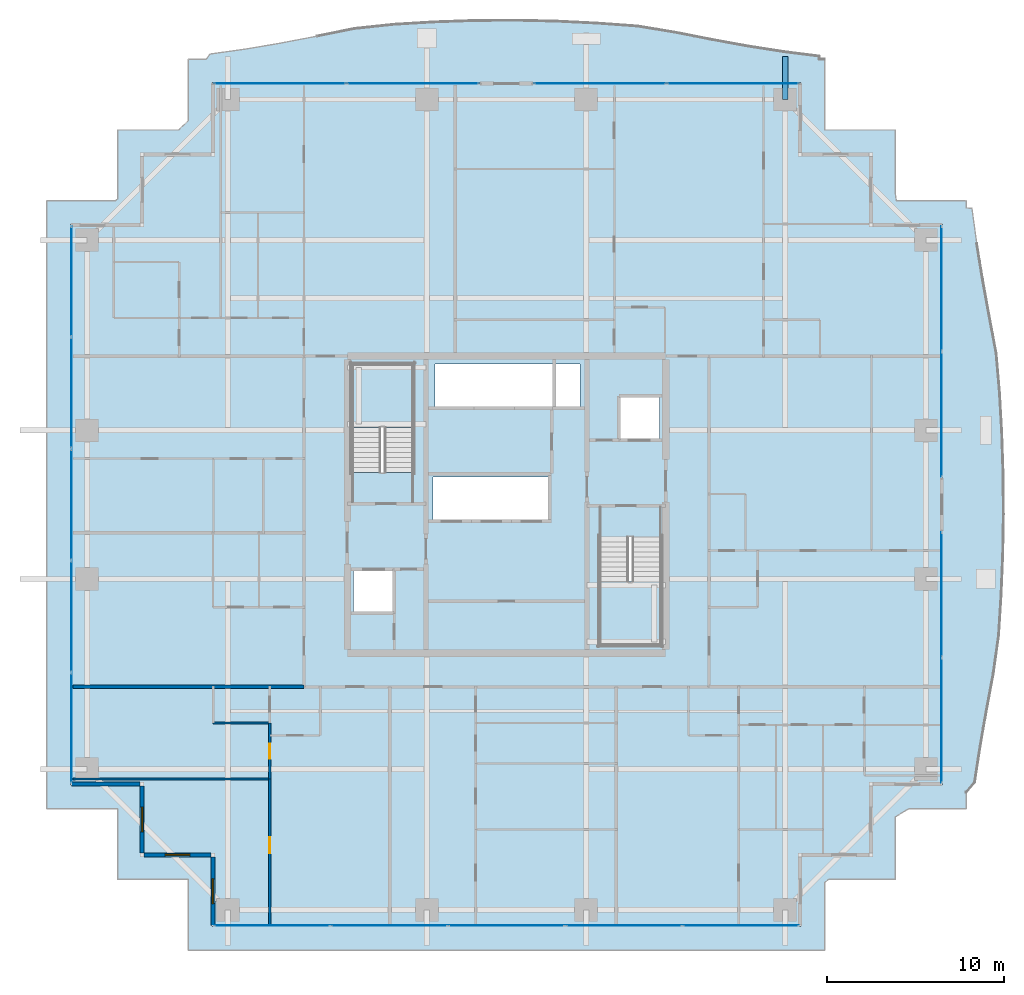
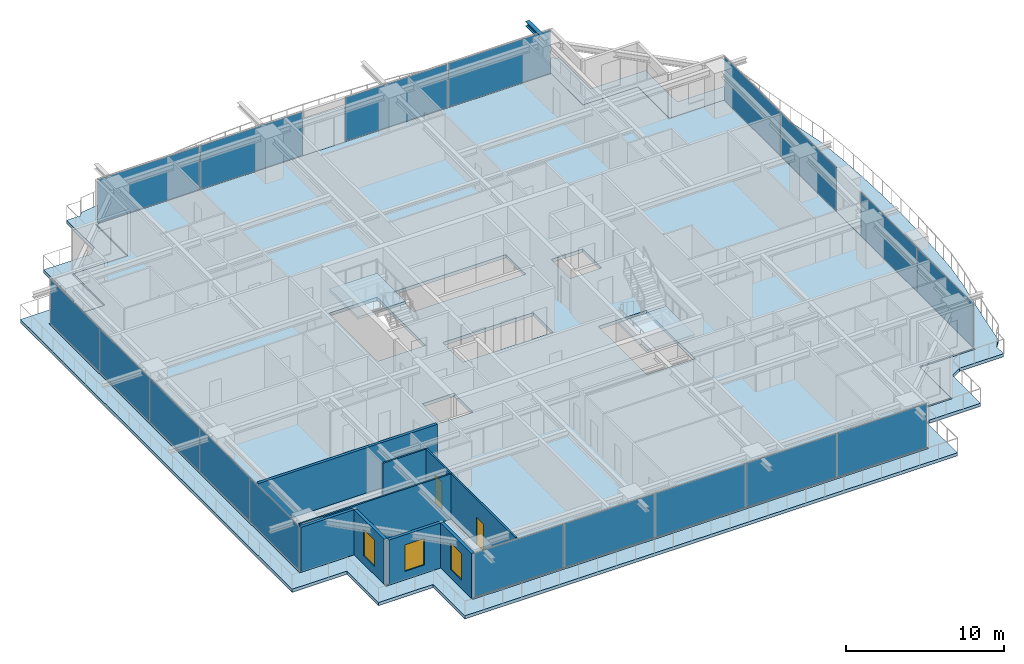
# One storey, part 22 of 33: 18 plates, 9 walls, 4 slabs, 3 windows, 2 doors, 1 beam, 5 openings, 8 elements without a shape of their own.
"""IFC4 building model written with IfcOpenShell, lengths in metres."""

from ifc_helpers import new_model, si_unit, direction, frame, frame_2d, origin, origin_2d, place, context, subcontext, project, spatial, polyline, rectangle, i_section, outline, extrude, source, transform, mapped, material, layer, layer_set, material_profile, profile_set, type_object, element, fill, aggregate, save


model = new_model("IFC4")

# Units and contexts
model_context = context("Model", 3, precision=1e-05, world=origin(), true_north=direction((0.0, 1.0)))
body_context = subcontext(model_context, "Body", "Model", "MODEL_VIEW")
ifc_project = project(units=[si_unit("LENGTHUNIT", "METRE"), si_unit("AREAUNIT", "SQUARE_METRE"), si_unit("VOLUMEUNIT", "CUBIC_METRE"), si_unit("PLANEANGLEUNIT", "RADIAN"), si_unit("MASSUNIT", "GRAM", prefix="KILO")], contexts=[model_context])

# Site, building, storey
site_placement = place(None, origin())
site = spatial("IfcSite", under=ifc_project, at=site_placement, CompositionType="ELEMENT")
building_placement = place(site_placement, origin())
building = spatial("IfcBuilding", under=site, at=building_placement, Name="Serunith Strait Residences", CompositionType="ELEMENT")
storey_placement = place(building_placement, frame((0.0, 0.0, 165.14990234375)))
storey = spatial("IfcBuildingStorey", under=building, at=storey_placement, Name="L41", CompositionType="ELEMENT", Elevation=165.14990234375)

# Beam
ifc_material_1 = material(Name="Steel S355J2", Category="steel")
ifc_material_profile = material_profile(ifc_material_1, i_section(OverallWidth=0.300048828125, OverallDepth=0.360107421875, WebThickness=0.012451171875, FlangeThickness=0.0224609375, FilletRadius=0.027099609375, at=origin_2d()), Name="HEB 360")
ifc_profile_set = profile_set([ifc_material_profile], Name="Steel S355J2")
beam_type = type_object("IfcBeamType", Name="BM-HEB360", PredefinedType="BEAM", material=ifc_profile_set)
shared_shape_1 = source(origin(), body_context, "Body", "SweptSolid", [
    extrude(i_section(OverallWidth=0.300048828125, OverallDepth=0.360107421875, WebThickness=0.012451171875, FlangeThickness=0.0224609375, FilletRadius=0.027099609375, at=origin_2d()), origin(), (0.0, 0.0, 1.0), 2.427978515625),
])
beam_placement = place(storey_placement, frame((48.14990234375, 48.10009765625, 3.277099609375), z_axis=(0.0, 1.0, 0.0), x_axis=(-1.0, 0.0, 0.0)))
element("IfcBeam", 1, at=beam_placement, inside=storey, type_object=beam_type, Name="L42 Cantilevered Balcony Rib TC-N4", PredefinedType="BEAM", context=body_context, shape_type="MappedRepresentation", body=[
    mapped(shared_shape_1, transform((0.0, 0.0, 0.0), scale=1.0)),
])

# Slab
ifc_material_2 = material(Name="Concrete C50/60", Category="concrete")
ifc_layer_1 = layer(ifc_material_2, 0.239990234375, Name="Concrete C50/60")
ifc_layer_set_1 = layer_set([ifc_layer_1], Name="Concrete C50/60")
slab_type_1 = type_object("IfcSlabType", Name="SLB-BALC-240", PredefinedType="FLOOR", material=ifc_layer_set_1)
slab_1_placement = place(storey_placement, frame((0.0, 0.0, -0.289794921875)))
element("IfcSlab", 2, at=slab_1_placement, inside=storey, type_object=slab_type_1, Name="L41 Planted Vertical-Forest Balcony Slab", PredefinedType="FLOOR", context=body_context, shape_type="SweptSolid", body=[
    extrude(outline(polyline([(10.419921875, 46.3798828125), (13.87158203125, 46.3798828125), (14.419921875, 46.90869140625), (14.419921875, 50.3798828125), (15.4287109375, 50.3798828125), (15.634765625, 50.6689453125), (17.631591796875, 50.949951171875), (19.646728515625, 51.291015625), (21.69873046875, 51.68408203125), (23.808349609375, 52.105224609375), (26.03271484375, 52.341796875), (28.31201171875, 52.47802734375), (30.618408203125, 52.5576171875), (32.936767578125, 52.572021484375), (35.25048828125, 52.519775390625), (37.544189453125, 52.40673828125), (39.804931640625, 52.244140625), (41.968994140625, 51.888427734375), (44.0478515625, 51.476806640625), (46.07958984375, 51.107666015625), (48.083984375, 50.79638671875), (50.077392578125, 50.544921875), (50.076171875, 50.3798828125), (50.3798828125, 50.3798828125), (50.3798828125, 46.3798828125), (54.3798828125, 46.3798828125), (54.3798828125, 42.741943359375), (54.43310546875, 42.3798828125), (58.3798828125, 42.3798828125), (58.3798828125, 41.971923828125), (58.705810546875, 41.953125), (58.982666015625, 39.9501953125), (59.31298828125, 37.927001953125), (59.6875, 35.8671875), (60.083251953125, 33.752685546875), (60.27587890625, 31.52685546875), (60.4013671875, 29.259765625), (60.477294921875, 26.968994140625), (60.49658203125, 24.6669921875), (60.457275390625, 22.36767578125), (60.363037109375, 20.084716796875), (60.222412109375, 17.82958984375), (59.920166015625, 15.65380859375), (59.52978515625, 13.56494140625), (59.17236328125, 11.523681640625), (58.8642578125, 9.511474609375), (58.3798828125, 8.943115234375), (58.3798828125, 8.02001953125), (55.150390625, 8.02001953125), (54.3798828125, 7.55908203125), (54.3798828125, 4.02001953125), (50.60400390625, 4.02001953125), (50.3798828125, 3.839599609375), (50.3798828125, 0.02001953125), (14.419921875, 0.02001953125), (14.419921875, 4.02001953125), (10.419921875, 4.02001953125), (10.419921875, 8.02001953125), (6.419921875, 8.02001953125), (6.419921875, 42.3798828125), (10.284912109375, 42.3798828125), (10.419921875, 42.47802734375), (10.419921875, 46.3798828125)]), holes=[polyline([(49.054931640625, 1.344970703125), (49.054931640625, 5.344970703125), (53.054931640625, 5.344970703125), (53.054931640625, 9.344970703125), (57.054931640625, 9.344970703125), (57.054931640625, 41.054931640625), (53.054931640625, 41.054931640625), (53.054931640625, 45.054931640625), (49.054931640625, 45.054931640625), (49.054931640625, 49.054931640625), (15.7451171875, 49.054931640625), (15.7451171875, 45.054931640625), (11.7451171875, 45.054931640625), (11.7451171875, 41.054931640625), (7.7451171875, 41.054931640625), (7.7451171875, 9.344970703125), (11.7451171875, 9.344970703125), (11.7451171875, 5.344970703125), (15.7451171875, 5.344970703125), (15.7451171875, 1.344970703125), (49.054931640625, 1.344970703125)])]), origin(), (0.0, 0.0, 1.0), 0.239990234375),
])

# Stair, slab
stair_type_1 = type_object("IfcStairType", Name="STR-CORE-1", PredefinedType="HALF_TURN_STAIR", material=ifc_material_2)
stair_1_placement = place(storey_placement, origin())
stair_1 = element("IfcStair", 3, at=stair_1_placement, inside=storey, type_object=stair_type_1, Name="L41 Protected Escape Stair ST-1", PredefinedType="HALF_TURN_STAIR")
ifc_layer_2 = layer(ifc_material_2, 0.199951171875, Name="Concrete C50/60")
ifc_layer_set_2 = layer_set([ifc_layer_2], Name="Concrete C50/60")
slab_type_2 = type_object("IfcSlabType", Name="SLB-LAND-200", PredefinedType="LANDING", material=ifc_layer_set_2)
slab_2_placement = place(storey_placement, frame((0.0, 0.0, 1.675048828125)))
slab_2 = element("IfcSlab", 4, at=slab_2_placement, type_object=slab_type_2, Name="ST-1 landing 1", PredefinedType="LANDING", context=body_context, shape_type="SweptSolid", body=[
    extrude(outline(polyline([(27.14990234375, 29.550048828125), (27.14990234375, 33.14990234375), (23.64990234375, 33.14990234375), (23.64990234375, 29.550048828125), (27.14990234375, 29.550048828125)])), origin(), (0.0, 0.0, 1.0), 0.199951171875),
])
aggregate(stair_1, [slab_2])

stair_type_2 = type_object("IfcStairType", Name="STR-CORE-2", PredefinedType="HALF_TURN_STAIR", material=ifc_material_2)
stair_2_placement = place(storey_placement, origin())
stair_2 = element("IfcStair", 5, at=stair_2_placement, inside=storey, type_object=stair_type_2, Name="L41 Protected Escape Stair ST-2", PredefinedType="HALF_TURN_STAIR")
slab_3_placement = place(storey_placement, frame((0.0, 0.0, 1.675048828125)))
slab_3 = element("IfcSlab", 6, at=slab_3_placement, type_object=slab_type_2, Name="ST-2 landing 1", PredefinedType="LANDING", context=body_context, shape_type="SweptSolid", body=[
    extrude(outline(polyline([(37.64990234375, 20.85009765625), (37.64990234375, 17.25), (41.14990234375, 17.25), (41.14990234375, 20.85009765625), (37.64990234375, 20.85009765625)])), origin(), (0.0, 0.0, 1.0), 0.199951171875),
])
aggregate(stair_2, [slab_3])

# Slab
ifc_material_3 = material(Name="Concrete C60/75", Category="concrete")
ifc_layer_3 = layer(ifc_material_3, 0.260009765625, Name="Concrete C60/75")
ifc_layer_set_3 = layer_set([ifc_layer_3], Name="Concrete C60/75")
slab_type_3 = type_object("IfcSlabType", Name="SLB-TWR-260-Z2", PredefinedType="FLOOR", material=ifc_layer_set_3)
slab_4_placement = place(storey_placement, frame((0.0, 0.0, -0.260009765625)))
element("IfcSlab", 7, at=slab_4_placement, inside=storey, type_object=slab_type_3, Name="L41 Structural Floor Plate", PredefinedType="FLOOR", context=body_context, shape_type="SweptSolid", body=[
    extrude(outline(polyline([(15.800048828125, 5.39990234375), (11.800048828125, 5.39990234375), (11.800048828125, 9.39990234375), (7.800048828125, 9.39990234375), (7.800048828125, 41.0), (11.800048828125, 41.0), (11.800048828125, 45.0), (15.800048828125, 45.0), (15.800048828125, 49.0), (49.0, 49.0), (49.0, 45.0), (53.0, 45.0), (53.0, 41.0), (57.0, 41.0), (57.0, 9.39990234375), (53.0, 9.39990234375), (53.0, 5.39990234375), (49.0, 5.39990234375), (49.0, 1.39990234375), (15.800048828125, 1.39990234375), (15.800048828125, 5.39990234375)]), holes=[polyline([(41.14990234375, 23.3701171875), (37.64990234375, 23.3701171875), (37.64990234375, 17.25), (41.14990234375, 17.25), (41.14990234375, 23.3701171875)]), polyline([(38.75, 31.25), (38.75, 28.85009765625), (41.050048828125, 28.85009765625), (41.050048828125, 31.25), (38.75, 31.25)]), polyline([(36.550048828125, 33.14990234375), (28.35009765625, 33.14990234375), (28.35009765625, 30.64990234375), (36.550048828125, 30.64990234375), (36.550048828125, 33.14990234375)]), polyline([(34.85009765625, 26.75), (28.25, 26.75), (28.25, 24.25), (34.85009765625, 24.25), (34.85009765625, 26.75)]), polyline([(23.64990234375, 33.14990234375), (23.64990234375, 27.030029296875), (27.14990234375, 27.030029296875), (27.14990234375, 33.14990234375), (23.64990234375, 33.14990234375)]), polyline([(26.050048828125, 21.550048828125), (23.75, 21.550048828125), (23.75, 19.14990234375), (26.050048828125, 19.14990234375), (26.050048828125, 21.550048828125)])]), origin(), (0.0, 0.0, 1.0), 0.260009765625),
])

# Curtain wall, plates
ifc_material_4 = material(Name="Pale-Champagne Anodised Aluminium", Category="aluminium")
ifc_layer_4 = layer(ifc_material_4, 0.199951171875, Name="Pale-Champagne Anodised Aluminium")
ifc_layer_set_4 = layer_set([ifc_layer_4], Name="Pale-Champagne Anodised Aluminium")
curtain_wall_type = type_object("IfcCurtainWallType", Name="CW-SYS2", PredefinedType="NOTDEFINED", material=ifc_layer_set_4)
curtain_wall_1_placement = place(storey_placement, origin())
curtain_wall_1 = element("IfcCurtainWall", 8, at=curtain_wall_1_placement, inside=storey, type_object=curtain_wall_type, Name="L41 S Unitised Fritted Curtain Wall", PredefinedType="NOTDEFINED")
ifc_material_5 = material(Name="Diagonal-Frit Operable Low-E Glazing 30mm", Category="glass")
ifc_layer_5 = layer(ifc_material_5, 0.030029296875, Name="Diagonal-Frit Operable Low-E Glazing 30mm")
ifc_layer_set_5 = layer_set([ifc_layer_5], Name="Diagonal-Frit Operable Low-E Glazing 30mm")
plate_type = type_object("IfcPlateType", Name="CW-SYS2-PNL", PredefinedType="CURTAIN_PANEL", material=ifc_layer_set_5)
shared_shape_2 = source(origin(), body_context, "Body", "SweptSolid", [
    extrude(rectangle(XDim=6.534912109375, YDim=0.030029296875, at=origin_2d()), origin(), (0.0, 0.0, 1.0), 3.35498046875),
])
plate_1_placement = place(storey_placement, frame((19.137451171875, 1.39990234375, 0.06005859375), z_axis=(0.0, 0.0, 1.0), x_axis=(1.0, 0.0, 0.0)))
plate_1 = element("IfcPlate", 9, at=plate_1_placement, type_object=plate_type, Name="CW-2 panel 1.1", PredefinedType="CURTAIN_PANEL", context=body_context, shape_type="MappedRepresentation", body=[
    mapped(shared_shape_2, transform((0.0, 0.0, 0.0), scale=1.0)),
])
plate_2_placement = place(storey_placement, frame((45.66259765625, 1.39990234375, 0.06005859375), z_axis=(0.0, 0.0, 1.0), x_axis=(1.0, 0.0, 0.0)))
plate_2 = element("IfcPlate", 10, at=plate_2_placement, type_object=plate_type, Name="CW-2 panel 5.1", PredefinedType="CURTAIN_PANEL", context=body_context, shape_type="MappedRepresentation", body=[
    mapped(shared_shape_2, transform((0.0, 0.0, 0.0), scale=1.0)),
])
shared_shape_3 = source(origin(), body_context, "Body", "SweptSolid", [
    extrude(rectangle(XDim=6.570068359375, YDim=0.030029296875, at=origin_2d()), origin(), (0.0, 0.0, 1.0), 3.35498046875),
])
plate_3_placement = place(storey_placement, frame((25.760009765625, 1.39990234375, 0.06005859375), z_axis=(0.0, 0.0, 1.0), x_axis=(1.0, 0.0, 0.0)))
plate_3 = element("IfcPlate", 11, at=plate_3_placement, type_object=plate_type, Name="CW-2 panel 2.1", PredefinedType="CURTAIN_PANEL", context=body_context, shape_type="MappedRepresentation", body=[
    mapped(shared_shape_3, transform((0.0, 0.0, 0.0), scale=1.0)),
])
plate_4_placement = place(storey_placement, frame((32.39990234375, 1.39990234375, 0.06005859375), z_axis=(0.0, 0.0, 1.0), x_axis=(1.0, 0.0, 0.0)))
plate_4 = element("IfcPlate", 12, at=plate_4_placement, type_object=plate_type, Name="CW-2 panel 3.1", PredefinedType="CURTAIN_PANEL", context=body_context, shape_type="MappedRepresentation", body=[
    mapped(shared_shape_3, transform((0.0, 0.0, 0.0), scale=1.0)),
])
plate_5_placement = place(storey_placement, frame((39.0400390625, 1.39990234375, 0.06005859375), z_axis=(0.0, 0.0, 1.0), x_axis=(1.0, 0.0, 0.0)))
plate_5 = element("IfcPlate", 13, at=plate_5_placement, type_object=plate_type, Name="CW-2 panel 4.1", PredefinedType="CURTAIN_PANEL", context=body_context, shape_type="MappedRepresentation", body=[
    mapped(shared_shape_3, transform((0.0, 0.0, 0.0), scale=1.0)),
])
aggregate(curtain_wall_1, [plate_1, plate_3, plate_4, plate_5, plate_2])

curtain_wall_2_placement = place(storey_placement, origin())
curtain_wall_2 = element("IfcCurtainWall", 14, at=curtain_wall_2_placement, inside=storey, type_object=curtain_wall_type, Name="L41 W Unitised Fritted Curtain Wall", PredefinedType="NOTDEFINED")
shared_shape_4 = source(origin(), body_context, "Body", "SweptSolid", [
    extrude(rectangle(XDim=6.215087890625, YDim=0.030029296875, at=origin_2d()), origin(), (0.0, 0.0, 1.0), 3.35498046875),
])
plate_6_placement = place(storey_placement, frame((7.800048828125, 37.822509765625, 0.06005859375), z_axis=(0.0, 0.0, 1.0), x_axis=(0.0, -1.0, 0.0)))
plate_6 = element("IfcPlate", 15, at=plate_6_placement, type_object=plate_type, Name="CW-2 panel 1.1", PredefinedType="CURTAIN_PANEL", context=body_context, shape_type="MappedRepresentation", body=[
    mapped(shared_shape_4, transform((0.0, 0.0, 0.0), scale=1.0)),
])
plate_7_placement = place(storey_placement, frame((7.800048828125, 12.577392578125, 0.06005859375), z_axis=(0.0, 0.0, 1.0), x_axis=(0.0, -1.0, 0.0)))
plate_7 = element("IfcPlate", 16, at=plate_7_placement, type_object=plate_type, Name="CW-2 panel 5.1", PredefinedType="CURTAIN_PANEL", context=body_context, shape_type="MappedRepresentation", body=[
    mapped(shared_shape_4, transform((0.0, 0.0, 0.0), scale=1.0)),
])
shared_shape_5 = source(origin(), body_context, "Body", "SweptSolid", [
    extrude(rectangle(XDim=6.25, YDim=0.030029296875, at=origin_2d()), origin(), (0.0, 0.0, 1.0), 3.35498046875),
])
plate_8_placement = place(storey_placement, frame((7.800048828125, 31.52001953125, 0.06005859375), z_axis=(0.0, 0.0, 1.0), x_axis=(0.0, -1.0, 0.0)))
plate_8 = element("IfcPlate", 17, at=plate_8_placement, type_object=plate_type, Name="CW-2 panel 2.1", PredefinedType="CURTAIN_PANEL", context=body_context, shape_type="MappedRepresentation", body=[
    mapped(shared_shape_5, transform((0.0, 0.0, 0.0), scale=1.0)),
])
plate_9_placement = place(storey_placement, frame((7.800048828125, 25.199951171875, 0.06005859375), z_axis=(0.0, 0.0, 1.0), x_axis=(0.0, -1.0, 0.0)))
plate_9 = element("IfcPlate", 18, at=plate_9_placement, type_object=plate_type, Name="CW-2 panel 3.1", PredefinedType="CURTAIN_PANEL", context=body_context, shape_type="MappedRepresentation", body=[
    mapped(shared_shape_5, transform((0.0, 0.0, 0.0), scale=1.0)),
])
plate_10_placement = place(storey_placement, frame((7.800048828125, 18.8798828125, 0.06005859375), z_axis=(0.0, 0.0, 1.0), x_axis=(0.0, -1.0, 0.0)))
plate_10 = element("IfcPlate", 19, at=plate_10_placement, type_object=plate_type, Name="CW-2 panel 4.1", PredefinedType="CURTAIN_PANEL", context=body_context, shape_type="MappedRepresentation", body=[
    mapped(shared_shape_5, transform((0.0, 0.0, 0.0), scale=1.0)),
])
aggregate(curtain_wall_2, [plate_6, plate_8, plate_9, plate_10, plate_7])

curtain_wall_3_placement = place(storey_placement, origin())
curtain_wall_3 = element("IfcCurtainWall", 20, at=curtain_wall_3_placement, inside=storey, type_object=curtain_wall_type, Name="L41 N Unitised Fritted Curtain Wall", PredefinedType="NOTDEFINED")
shared_shape_6 = source(origin(), body_context, "Body", "SweptSolid", [
    extrude(rectangle(XDim=7.445068359375, YDim=0.030029296875, at=origin_2d()), origin(), (0.0, 0.0, 1.0), 3.35498046875),
])
plate_11_placement = place(storey_placement, frame((45.20751953125, 49.0, 0.06005859375), z_axis=(0.0, 0.0, 1.0), x_axis=(-1.0, 0.0, 0.0)))
plate_11 = element("IfcPlate", 21, at=plate_11_placement, type_object=plate_type, Name="CW-2 panel 1.1", PredefinedType="CURTAIN_PANEL", context=body_context, shape_type="MappedRepresentation", body=[
    mapped(shared_shape_6, transform((0.0, 0.0, 0.0), scale=1.0)),
])
plate_12_placement = place(storey_placement, frame((37.6923828125, 49.0, 0.06005859375), z_axis=(0.0, 0.0, 1.0), x_axis=(-1.0, 0.0, 0.0)))
plate_12 = element("IfcPlate", 22, at=plate_12_placement, type_object=plate_type, Name="CW-2 panel 2.1", PredefinedType="CURTAIN_PANEL", context=body_context, shape_type="MappedRepresentation", body=[
    mapped(shared_shape_6, transform((0.0, 0.0, 0.0), scale=1.0)),
])
aggregate(curtain_wall_3, [plate_11, plate_12])

curtain_wall_4_placement = place(storey_placement, origin())
curtain_wall_4 = element("IfcCurtainWall", 23, at=curtain_wall_4_placement, inside=storey, type_object=curtain_wall_type, Name="L41 N Unitised Fritted Curtain Wall", PredefinedType="NOTDEFINED")
plate_13_placement = place(storey_placement, frame((27.107421875, 49.0, 0.06005859375), z_axis=(0.0, 0.0, 1.0), x_axis=(-1.0, 0.0, 0.0)))
plate_13 = element("IfcPlate", 24, at=plate_13_placement, type_object=plate_type, Name="CW-2 panel 1.1", PredefinedType="CURTAIN_PANEL", context=body_context, shape_type="MappedRepresentation", body=[
    mapped(shared_shape_6, transform((0.0, 0.0, 0.0), scale=1.0)),
])
plate_14_placement = place(storey_placement, frame((19.592529296875, 49.0, 0.06005859375), z_axis=(0.0, 0.0, 1.0), x_axis=(-1.0, 0.0, 0.0)))
plate_14 = element("IfcPlate", 25, at=plate_14_placement, type_object=plate_type, Name="CW-2 panel 2.1", PredefinedType="CURTAIN_PANEL", context=body_context, shape_type="MappedRepresentation", body=[
    mapped(shared_shape_6, transform((0.0, 0.0, 0.0), scale=1.0)),
])
aggregate(curtain_wall_4, [plate_13, plate_14])

curtain_wall_5_placement = place(storey_placement, origin())
curtain_wall_5 = element("IfcCurtainWall", 26, at=curtain_wall_5_placement, inside=storey, type_object=curtain_wall_type, Name="L41 E Unitised Fritted Curtain Wall", PredefinedType="NOTDEFINED")
shared_shape_7 = source(origin(), body_context, "Body", "SweptSolid", [
    extrude(rectangle(XDim=7.044921875, YDim=0.030029296875, at=origin_2d()), origin(), (0.0, 0.0, 1.0), 3.35498046875),
])
plate_15_placement = place(storey_placement, frame((57.0, 12.992431640625, 0.06005859375), z_axis=(0.0, 0.0, 1.0), x_axis=(0.0, 1.0, 0.0)))
plate_15 = element("IfcPlate", 27, at=plate_15_placement, type_object=plate_type, Name="CW-2 panel 1.1", PredefinedType="CURTAIN_PANEL", context=body_context, shape_type="MappedRepresentation", body=[
    mapped(shared_shape_7, transform((0.0, 0.0, 0.0), scale=1.0)),
])
plate_16_placement = place(storey_placement, frame((57.0, 20.107421875, 0.06005859375), z_axis=(0.0, 0.0, 1.0), x_axis=(0.0, 1.0, 0.0)))
plate_16 = element("IfcPlate", 28, at=plate_16_placement, type_object=plate_type, Name="CW-2 panel 2.1", PredefinedType="CURTAIN_PANEL", context=body_context, shape_type="MappedRepresentation", body=[
    mapped(shared_shape_7, transform((0.0, 0.0, 0.0), scale=1.0)),
])
aggregate(curtain_wall_5, [plate_15, plate_16])

curtain_wall_6_placement = place(storey_placement, origin())
curtain_wall_6 = element("IfcCurtainWall", 29, at=curtain_wall_6_placement, inside=storey, type_object=curtain_wall_type, Name="L41 E Unitised Fritted Curtain Wall", PredefinedType="NOTDEFINED")
plate_17_placement = place(storey_placement, frame((57.0, 30.29248046875, 0.06005859375), z_axis=(0.0, 0.0, 1.0), x_axis=(0.0, 1.0, 0.0)))
plate_17 = element("IfcPlate", 30, at=plate_17_placement, type_object=plate_type, Name="CW-2 panel 1.1", PredefinedType="CURTAIN_PANEL", context=body_context, shape_type="MappedRepresentation", body=[
    mapped(shared_shape_7, transform((0.0, 0.0, 0.0), scale=1.0)),
])
plate_18_placement = place(storey_placement, frame((57.0, 37.407470703125, 0.06005859375), z_axis=(0.0, 0.0, 1.0), x_axis=(0.0, 1.0, 0.0)))
plate_18 = element("IfcPlate", 31, at=plate_18_placement, type_object=plate_type, Name="CW-2 panel 2.1", PredefinedType="CURTAIN_PANEL", context=body_context, shape_type="MappedRepresentation", body=[
    mapped(shared_shape_7, transform((0.0, 0.0, 0.0), scale=1.0)),
])
aggregate(curtain_wall_6, [plate_17, plate_18])

# Wall
ifc_material_6 = material(Name="Pale-Champagne Aluminium Insulated Panel", Category="aluminium")
ifc_layer_6 = layer(ifc_material_6, 0.219970703125, Name="Pale-Champagne Aluminium Insulated Panel")
ifc_layer_set_6 = layer_set([ifc_layer_6], Name="Pale-Champagne Aluminium Insulated Panel")
wall_type_1 = type_object("IfcWallType", Name="EW-ALUM-220", PredefinedType="ELEMENTEDWALL", material=ifc_layer_set_6)
wall_1_placement = place(storey_placement, frame((7.800048828125, 9.39990234375, 0.0), z_axis=(0.0, 0.0, 1.0), x_axis=(1.0, 0.0, 0.0)))
element("IfcWall", 32, at=wall_1_placement, inside=storey, type_object=wall_type_1, Name="L41 Girih Serrated Corner Wall 17", PredefinedType="ELEMENTEDWALL", context=body_context, shape_type="SweptSolid", body=[
    extrude(rectangle(XDim=3.889892578125, YDim=0.219970703125, at=frame_2d((1.94482421875, 0.0))), origin(), (0.0, 0.0, 1.0), 3.47509765625),
])

# Wall, opening, window
wall_2_placement = place(storey_placement, frame((11.800048828125, 9.2900390625, 0.0), z_axis=(0.0, 0.0, 1.0), x_axis=(0.0, -1.0, 0.0)))
wall_2 = element("IfcWall", 33, at=wall_2_placement, inside=storey, type_object=wall_type_1, Name="L41 Girih Serrated Corner Wall 18", PredefinedType="ELEMENTEDWALL", context=body_context, shape_type="SweptSolid", body=[
    extrude(rectangle(XDim=3.780029296875, YDim=0.219970703125, at=frame_2d((1.89013671875, 0.0))), origin(), (0.0, 0.0, 1.0), 3.47509765625),
])
opening_1_placement = place(wall_2_placement, frame((1.18994140625, 0.0, 0.64990234375)))
opening_1 = element("IfcOpeningElement", 34, at=opening_1_placement, cuts=wall_2, Name="Opening W-03", PredefinedType="OPENING", context=body_context, shape_type="SweptSolid", body=[
    extrude(rectangle(XDim=1.39990234375, YDim=2.050048828125, at=frame_2d((0.699951171875, 1.02490234375))), frame((0.0, 0.1201171875, 0.0), z_axis=(0.0, -1.0, 0.0), x_axis=(1.0, 0.0, 0.0)), (0.0, 0.0, 1.0), 0.239990234375),
])
ifc_material_7 = material(Name="Ceramic-Fritted Operable Aluminium Window Glass", Category="aluminium")
window_type = type_object("IfcWindowType", Name="WIN-C3", PartitioningType="SINGLE_PANEL", PredefinedType="WINDOW", material=ifc_material_7)
shared_shape_8 = source(origin(), body_context, "Body", "SweptSolid", [
    extrude(rectangle(XDim=1.39990234375, YDim=2.050048828125, at=frame_2d((0.699951171875, 1.02490234375))), frame((0.0, 0.030029296875, 0.0), z_axis=(0.0, -1.0, 0.0), x_axis=(1.0, 0.0, 0.0)), (0.0, 0.0, 1.0), 0.06005859375),
])
window_1_placement = place(opening_1_placement, origin())
window_1 = element("IfcWindow", 35, at=window_1_placement, inside=storey, type_object=window_type, Name="L41 Corner Operable Fritted Window 18", OverallHeight=2.050048828125, OverallWidth=1.39990234375, PartitioningType="SINGLE_PANEL", PredefinedType="WINDOW", context=body_context, shape_type="MappedRepresentation", body=[
    mapped(shared_shape_8, transform((0.0, 0.0, 0.0), scale=1.0)),
])
fill(opening_1, window_1)

wall_3_placement = place(storey_placement, frame((11.909912109375, 5.39990234375, 0.0), z_axis=(0.0, 0.0, 1.0), x_axis=(1.0, 0.0, 0.0)))
wall_3 = element("IfcWall", 36, at=wall_3_placement, inside=storey, type_object=wall_type_1, Name="L41 Girih Serrated Corner Wall 19", PredefinedType="ELEMENTEDWALL", context=body_context, shape_type="SweptSolid", body=[
    extrude(rectangle(XDim=3.780029296875, YDim=0.219970703125, at=frame_2d((1.89013671875, 0.0))), origin(), (0.0, 0.0, 1.0), 3.47509765625),
])
opening_2_placement = place(wall_3_placement, frame((1.18994140625, 0.0, 0.64990234375)))
opening_2 = element("IfcOpeningElement", 37, at=opening_2_placement, cuts=wall_3, Name="Opening W-03", PredefinedType="OPENING", context=body_context, shape_type="SweptSolid", body=[
    extrude(rectangle(XDim=1.39990234375, YDim=2.050048828125, at=frame_2d((0.699951171875, 1.02490234375))), frame((0.0, 0.1201171875, 0.0), z_axis=(0.0, -1.0, 0.0), x_axis=(1.0, 0.0, 0.0)), (0.0, 0.0, 1.0), 0.239990234375),
])
window_2_placement = place(opening_2_placement, origin())
window_2 = element("IfcWindow", 38, at=window_2_placement, inside=storey, type_object=window_type, Name="L41 Corner Operable Fritted Window 19", OverallHeight=2.050048828125, OverallWidth=1.39990234375, PartitioningType="SINGLE_PANEL", PredefinedType="WINDOW", context=body_context, shape_type="MappedRepresentation", body=[
    mapped(shared_shape_8, transform((0.0, 0.0, 0.0), scale=1.0)),
])
fill(opening_2, window_2)

wall_4_placement = place(storey_placement, frame((15.800048828125, 5.2900390625, 0.0), z_axis=(0.0, 0.0, 1.0), x_axis=(0.0, -1.0, 0.0)))
wall_4 = element("IfcWall", 39, at=wall_4_placement, inside=storey, type_object=wall_type_1, Name="L41 Girih Serrated Corner Wall 20", PredefinedType="ELEMENTEDWALL", context=body_context, shape_type="SweptSolid", body=[
    extrude(rectangle(XDim=3.89013671875, YDim=0.219970703125, at=frame_2d((1.945068359375, 0.0))), origin(), (0.0, 0.0, 1.0), 3.47509765625),
])
opening_3_placement = place(wall_4_placement, frame((1.2451171875, 0.0, 0.64990234375)))
opening_3 = element("IfcOpeningElement", 40, at=opening_3_placement, cuts=wall_4, Name="Opening W-03", PredefinedType="OPENING", context=body_context, shape_type="SweptSolid", body=[
    extrude(rectangle(XDim=1.39990234375, YDim=2.050048828125, at=frame_2d((0.699951171875, 1.02490234375))), frame((0.0, 0.1201171875, 0.0), z_axis=(0.0, -1.0, 0.0), x_axis=(1.0, 0.0, 0.0)), (0.0, 0.0, 1.0), 0.239990234375),
])
window_3_placement = place(opening_3_placement, origin())
window_3 = element("IfcWindow", 41, at=window_3_placement, inside=storey, type_object=window_type, Name="L41 Corner Operable Fritted Window 20", OverallHeight=2.050048828125, OverallWidth=1.39990234375, PartitioningType="SINGLE_PANEL", PredefinedType="WINDOW", context=body_context, shape_type="MappedRepresentation", body=[
    mapped(shared_shape_8, transform((0.0, 0.0, 0.0), scale=1.0)),
])
fill(opening_3, window_3)

# Wall, opening, door
ifc_material_8 = material(Name="Lightweight steel-stud gypsum partition", Category="steel")
ifc_layer_7 = layer(ifc_material_8, 0.1201171875, Name="Lightweight steel-stud gypsum partition")
ifc_layer_set_7 = layer_set([ifc_layer_7], Name="Lightweight steel-stud gypsum partition")
wall_type_2 = type_object("IfcWallType", Name="IW-PART-120", PredefinedType="PARTITIONING", material=ifc_layer_set_7)
wall_5_placement = place(storey_placement, frame((19.02001953125, 1.4951171875, 0.0), z_axis=(0.0, 0.0, 1.0), x_axis=(0.0, 1.0, 0.0)))
wall_5 = element("IfcWall", 42, at=wall_5_placement, inside=storey, type_object=wall_type_2, Name="L41 Partition Wall 030", PredefinedType="PARTITIONING", context=body_context, shape_type="SweptSolid", body=[
    extrude(rectangle(XDim=8.19482421875, YDim=0.1201171875, at=frame_2d((4.097412109375, 0.0))), origin(), (0.0, 0.0, 1.0), 3.489990234375),
])
opening_4_placement = place(wall_5_placement, frame((4.011962890625, 0.0, 0.0)))
opening_4 = element("IfcOpeningElement", 43, at=opening_4_placement, cuts=wall_5, Name="Opening D-RM900", PredefinedType="OPENING", context=body_context, shape_type="SweptSolid", body=[
    extrude(rectangle(XDim=0.89990234375, YDim=2.10009765625, at=frame_2d((0.449951171875, 1.050048828125))), frame((0.0, 0.070068359375, 0.0), z_axis=(0.0, -1.0, 0.0), x_axis=(1.0, 0.0, 0.0)), (0.0, 0.0, 1.0), 0.14013671875),
])
ifc_material_9 = material(Name="Engineered timber flush bedroom door", Category="wood")
door_type_1 = type_object("IfcDoorType", Name="ID-ROOM-900", OperationType="NOTDEFINED", PredefinedType="DOOR", material=ifc_material_9)
shared_shape_9 = source(origin(), body_context, "Body", "SweptSolid", [
    extrude(rectangle(XDim=0.89990234375, YDim=2.10009765625, at=frame_2d((0.449951171875, 1.050048828125))), frame((0.0, 0.02490234375, 0.0), z_axis=(0.0, -1.0, 0.0), x_axis=(1.0, 0.0, 0.0)), (0.0, 0.0, 1.0), 0.050048828125),
])
door_1_placement = place(opening_4_placement, origin())
door_1 = element("IfcDoor", 44, at=door_1_placement, inside=storey, type_object=door_type_1, Name="L41 Master Bedroom 1 4101 Door", OperationType="SINGLE_SWING_LEFT", OverallHeight=2.10009765625, OverallWidth=0.89990234375, PredefinedType="DOOR", context=body_context, shape_type="MappedRepresentation", body=[
    mapped(shared_shape_9, transform((0.0, 0.0, 0.0), scale=1.0)),
])
fill(opening_4, door_1)

# Walls
wall_6_placement = place(storey_placement, frame((7.89501953125, 9.68994140625, 0.0), z_axis=(0.0, 0.0, 1.0), x_axis=(1.0, 0.0, 0.0)))
element("IfcWall", 45, at=wall_6_placement, inside=storey, type_object=wall_type_2, Name="L41 Partition Wall 031", PredefinedType="PARTITIONING", context=body_context, shape_type="SweptSolid", body=[
    extrude(rectangle(XDim=11.125, YDim=0.1201171875, at=frame_2d((5.5625, 0.0))), origin(), (0.0, 0.0, 1.0), 3.489990234375),
])
wall_7_placement = place(storey_placement, frame((15.820068359375, 12.85009765625, 0.0), z_axis=(0.0, 0.0, 1.0), x_axis=(1.0, 0.0, 0.0)))
element("IfcWall", 46, at=wall_7_placement, inside=storey, type_object=wall_type_2, Name="L41 Partition Wall 032", PredefinedType="PARTITIONING", context=body_context, shape_type="SweptSolid", body=[
    extrude(rectangle(XDim=3.199951171875, YDim=0.1201171875, at=frame_2d((1.60009765625, 0.0))), origin(), (0.0, 0.0, 1.0), 3.489990234375),
])

# Wall, opening, door
wall_8_placement = place(storey_placement, frame((19.02001953125, 9.69189453125, 0.0), z_axis=(0.0, 0.0, 1.0), x_axis=(0.0, 1.0, 0.0)))
wall_8 = element("IfcWall", 47, at=wall_8_placement, inside=storey, type_object=wall_type_2, Name="L41 Partition Wall 034", PredefinedType="PARTITIONING", context=body_context, shape_type="SweptSolid", body=[
    extrude(rectangle(XDim=3.158203125, YDim=0.1201171875, at=frame_2d((1.5791015625, 0.0))), origin(), (0.0, 0.0, 1.0), 3.489990234375),
])
opening_5_placement = place(wall_8_placement, frame((1.154052734375, 0.0, 0.0)))
opening_5 = element("IfcOpeningElement", 48, at=opening_5_placement, cuts=wall_8, Name="Opening D-RM850", PredefinedType="OPENING", context=body_context, shape_type="SweptSolid", body=[
    extrude(rectangle(XDim=0.85009765625, YDim=2.10009765625, at=frame_2d((0.425048828125, 1.050048828125))), frame((0.0, 0.070068359375, 0.0), z_axis=(0.0, -1.0, 0.0), x_axis=(1.0, 0.0, 0.0)), (0.0, 0.0, 1.0), 0.14013671875),
])
ifc_material_10 = material(Name="Engineered timber flush study and kitchen door", Category="wood")
door_type_2 = type_object("IfcDoorType", Name="ID-ROOM-850", OperationType="NOTDEFINED", PredefinedType="DOOR", material=ifc_material_10)
shared_shape_10 = source(origin(), body_context, "Body", "SweptSolid", [
    extrude(rectangle(XDim=0.85009765625, YDim=2.10009765625, at=frame_2d((0.425048828125, 1.050048828125))), frame((0.0, 0.02490234375, 0.0), z_axis=(0.0, -1.0, 0.0), x_axis=(1.0, 0.0, 0.0)), (0.0, 0.0, 1.0), 0.050048828125),
])
door_2_placement = place(opening_5_placement, origin())
door_2 = element("IfcDoor", 49, at=door_2_placement, inside=storey, type_object=door_type_2, Name="L41 Walk-in Wardrobe 4101 Door", OperationType="SINGLE_SWING_RIGHT", OverallHeight=2.10009765625, OverallWidth=0.85009765625, PredefinedType="DOOR", context=body_context, shape_type="MappedRepresentation", body=[
    mapped(shared_shape_10, transform((0.0, 0.0, 0.0), scale=1.0)),
])
fill(opening_5, door_2)

# Wall
ifc_material_11 = material(Name="Twin-stud acoustic gypsum board partition")
ifc_layer_8 = layer(ifc_material_11, 0.199951171875, Name="Twin-stud acoustic gypsum board partition")
ifc_layer_set_8 = layer_set([ifc_layer_8], Name="Twin-stud acoustic gypsum board partition")
wall_type_3 = type_object("IfcWallType", Name="IW-PARTY-200", PredefinedType="PARTITIONING", material=ifc_layer_set_8)
wall_9_placement = place(storey_placement, frame((7.882080078125, 14.89990234375, 0.0), z_axis=(0.0, 0.0, 1.0), x_axis=(1.0, 0.0, 0.0)))
element("IfcWall", 50, at=wall_9_placement, inside=storey, type_object=wall_type_3, Name="L41 Partition Wall 019", PredefinedType="PARTITIONING", context=body_context, shape_type="SweptSolid", body=[
    extrude(rectangle(XDim=13.06787109375, YDim=0.199951171875, at=frame_2d((6.533935546875, 0.0))), origin(), (0.0, 0.0, 1.0), 3.489990234375),
])

save(model, "model.ifc")
